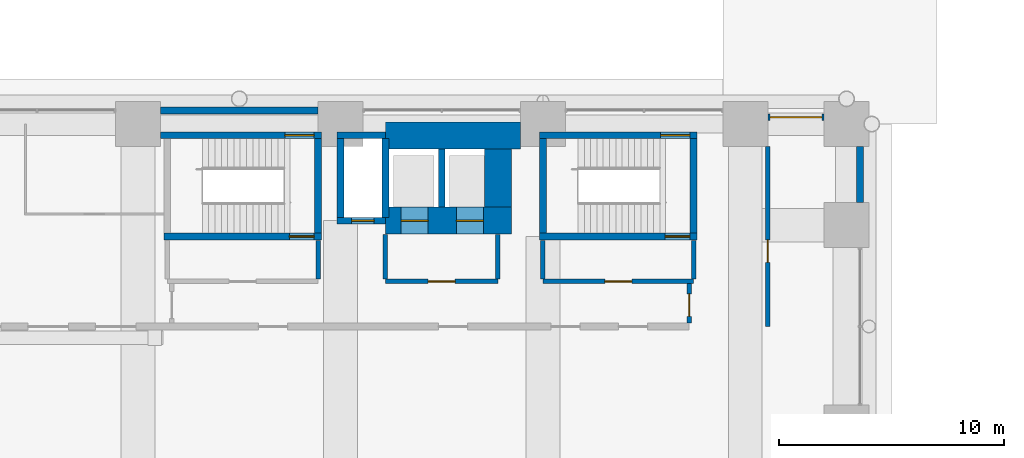
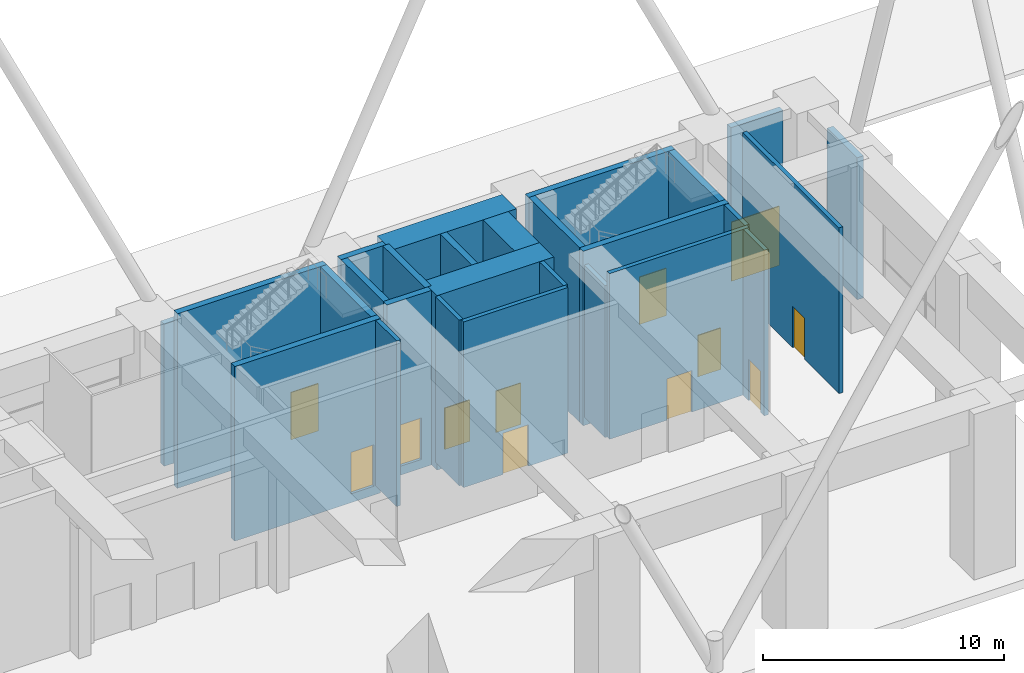
# One storey, part 32 of 44: 27 walls, 12 doors, 12 openings.
"""IFC4 building model written with IfcOpenShell, lengths in metres."""

from ifc_helpers import new_model, si_unit, direction, frame, frame_2d, origin, place, context, subcontext, project, spatial, rectangle, extrude, material, layer, layer_set, type_object, element, fill, save


model = new_model("IFC4")

# Units and contexts
model_context = context("Model", 3, precision=1e-05, world=origin(), true_north=direction((0.0, 1.0)))
body_context = subcontext(model_context, "Body", "Model", "MODEL_VIEW")
ifc_project = project(units=[si_unit("LENGTHUNIT", "METRE"), si_unit("AREAUNIT", "SQUARE_METRE"), si_unit("VOLUMEUNIT", "CUBIC_METRE"), si_unit("PLANEANGLEUNIT", "RADIAN"), si_unit("MASSUNIT", "GRAM", prefix="KILO")], contexts=[model_context])

# Site, building, storey
site_placement = place(None, origin())
site = spatial("IfcSite", under=ifc_project, at=site_placement, CompositionType="ELEMENT")
building_placement = place(site_placement, origin())
building = spatial("IfcBuilding", under=site, at=building_placement, Name="Firuza Court", CompositionType="ELEMENT")
storey_placement = place(building_placement, origin())
storey = spatial("IfcBuildingStorey", under=building, at=storey_placement, Name="L00", CompositionType="ELEMENT", Elevation=0.0)

# Wall, openings, doors
ifc_material_1 = material(Name="Concrete C60/75", Category="concrete")
ifc_layer_1 = layer(ifc_material_1, 1.199951171875)
ifc_layer_set_1 = layer_set([ifc_layer_1], Name="Concrete C60/75")
wall_type_1 = type_object("IfcWallType", Name="Core wall 1200 C60/75", PredefinedType="SHEAR", material=ifc_layer_set_1)
wall_1_placement = place(storey_placement, frame((47.0, 54.199951171875, -0.449951171875), z_axis=(0.0, 0.0, 1.0), x_axis=(1.0, 0.0, 0.0)))
wall_1 = element("IfcWall", 1, at=wall_1_placement, inside=storey, type_object=wall_type_1, Name="Core wall lift shaft L00", PredefinedType="SHEAR", context=body_context, shape_type="SweptSolid", body=[
    extrude(rectangle(XDim=5.60009765625, YDim=1.199951171875, at=frame_2d((2.800048828125, 0.0))), origin(), (0.0, 0.0, 1.0), 8.849853515625),
])
opening_1_placement = place(wall_1_placement, frame((0.699951171875, 0.0, 0.449951171875)))
opening_1 = element("IfcOpeningElement", 2, at=opening_1_placement, cuts=wall_1, Name="Opening LD-SH1-00", PredefinedType="OPENING", context=body_context, shape_type="SweptSolid", body=[
    extrude(rectangle(XDim=1.199951171875, YDim=2.10009765625, at=frame_2d((0.60009765625, 1.050048828125))), frame((0.0, 0.61181640625, 0.0), z_axis=(0.0, -1.0, 0.0), x_axis=(1.0, 0.0, 0.0)), (0.0, 0.0, 1.0), 1.223876953125),
])
opening_2_placement = place(wall_1_placement, frame((3.14990234375, 0.0, 0.449951171875)))
opening_2 = element("IfcOpeningElement", 3, at=opening_2_placement, cuts=wall_1, Name="Opening LD-SH2-00", PredefinedType="OPENING", context=body_context, shape_type="SweptSolid", body=[
    extrude(rectangle(XDim=1.199951171875, YDim=2.10009765625, at=frame_2d((0.60009765625, 1.050048828125))), frame((0.0, 0.61181640625, 0.0), z_axis=(0.0, -1.0, 0.0), x_axis=(1.0, 0.0, 0.0)), (0.0, 0.0, 1.0), 1.223876953125),
])
ifc_material_2 = material(Name="Stainless steel 1.4301 door leaf", Category="steel")
door_type_1 = type_object("IfcDoorType", Name="Firefighting lift landing door 1200", OperationType="SLIDING_TO_LEFT", PredefinedType="DOOR", material=ifc_material_2)
door_1_placement = place(opening_1_placement, origin())
door_1 = element("IfcDoor", 4, at=door_1_placement, inside=storey, type_object=door_type_1, Name="Landing door SH1", OperationType="SLIDING_TO_LEFT", OverallHeight=2.10009765625, OverallWidth=1.199951171875, PredefinedType="DOOR", context=body_context, shape_type="SweptSolid", body=[
    extrude(rectangle(XDim=1.199951171875, YDim=2.10009765625, at=frame_2d((0.60009765625, 1.050048828125))), frame((0.0, 0.02490234375, 0.0), z_axis=(0.0, -1.0, 0.0), x_axis=(1.0, 0.0, 0.0)), (0.0, 0.0, 1.0), 0.050048828125),
])
fill(opening_1, door_1)
door_2_placement = place(opening_2_placement, origin())
door_2 = element("IfcDoor", 5, at=door_2_placement, inside=storey, type_object=door_type_1, Name="Landing door SH2", OperationType="SLIDING_TO_LEFT", OverallHeight=2.10009765625, OverallWidth=1.199951171875, PredefinedType="DOOR", context=body_context, shape_type="SweptSolid", body=[
    extrude(rectangle(XDim=1.199951171875, YDim=2.10009765625, at=frame_2d((0.60009765625, 1.050048828125))), frame((0.0, 0.02490234375, 0.0), z_axis=(0.0, -1.0, 0.0), x_axis=(1.0, 0.0, 0.0)), (0.0, 0.0, 1.0), 0.050048828125),
])
fill(opening_2, door_2)

# Walls
wall_2_placement = place(storey_placement, frame((47.0, 58.0, -0.449951171875), z_axis=(0.0, 0.0, 1.0), x_axis=(1.0, 0.0, 0.0)))
element("IfcWall", 6, at=wall_2_placement, inside=storey, type_object=wall_type_1, Name="Core wall lift shaft L00", PredefinedType="SHEAR", context=body_context, shape_type="SweptSolid", body=[
    extrude(rectangle(XDim=6.0, YDim=1.199951171875, at=frame_2d((3.0, 0.0))), origin(), (0.0, 0.0, 1.0), 8.849853515625),
])
wall_3_placement = place(storey_placement, frame((52.0, 54.800048828125, -0.449951171875), z_axis=(0.0, 0.0, 1.0), x_axis=(0.0, 1.0, 0.0)))
element("IfcWall", 7, at=wall_3_placement, inside=storey, type_object=wall_type_1, Name="Core wall lift shaft L00", PredefinedType="SHEAR", context=body_context, shape_type="SweptSolid", body=[
    extrude(rectangle(XDim=2.599853515625, YDim=1.199951171875, at=frame_2d((1.2998046875, 0.0))), origin(), (0.0, 0.0, 1.0), 8.849853515625),
])

# Wall, opening, door
ifc_layer_2 = layer(ifc_material_1, 0.300048828125)
ifc_layer_set_2 = layer_set([ifc_layer_2], Name="Concrete C60/75")
wall_type_2 = type_object("IfcWallType", Name="Core wall 300 C60/75", PredefinedType="SHEAR", material=ifc_layer_set_2)
wall_4_placement = place(storey_placement, frame((37.0, 58.0, -0.449951171875), z_axis=(0.0, 0.0, 1.0), x_axis=(1.0, 0.0, 0.0)))
wall_4 = element("IfcWall", 8, at=wall_4_placement, inside=storey, type_object=wall_type_2, Name="Core wall stair L00", PredefinedType="SHEAR", context=body_context, shape_type="SweptSolid", body=[
    extrude(rectangle(XDim=7.14990234375, YDim=0.300048828125, at=frame_2d((3.574951171875, 0.0))), origin(), (0.0, 0.0, 1.0), 8.849853515625),
])
opening_3_placement = place(wall_4_placement, frame((5.530029296875, 0.0, 0.449951171875)))
opening_3 = element("IfcOpeningElement", 9, at=opening_3_placement, cuts=wall_4, Name="Opening D00019", PredefinedType="OPENING", context=body_context, shape_type="SweptSolid", body=[
    extrude(rectangle(XDim=1.300048828125, YDim=2.39990234375, at=frame_2d((0.64990234375, 1.199951171875))), frame((0.0, 0.162109375, 0.0), z_axis=(0.0, -1.0, 0.0), x_axis=(1.0, 0.0, 0.0)), (0.0, 0.0, 1.0), 0.323974609375),
])
ifc_material_3 = material(Name="Timber door leaf in hardwood frame", Category="wood")
door_type_2 = type_object("IfcDoorType", Name="Exit door 1300", OperationType="SINGLE_SWING_LEFT", PredefinedType="DOOR", material=ifc_material_3)
door_3_placement = place(opening_3_placement, origin())
door_3 = element("IfcDoor", 10, at=door_3_placement, inside=storey, type_object=door_type_2, Name="Stair exit door S1", OperationType="SINGLE_SWING_LEFT", OverallHeight=2.39990234375, OverallWidth=1.300048828125, PredefinedType="DOOR", context=body_context, shape_type="SweptSolid", body=[
    extrude(rectangle(XDim=1.300048828125, YDim=2.39990234375, at=frame_2d((0.64990234375, 1.199951171875))), frame((0.0, 0.02490234375, 0.0), z_axis=(0.0, -1.0, 0.0), x_axis=(1.0, 0.0, 0.0)), (0.0, 0.0, 1.0), 0.050048828125),
])
fill(opening_3, door_3)

wall_5_placement = place(storey_placement, frame((37.14990234375, 53.5, -0.449951171875), z_axis=(0.0, 0.0, 1.0), x_axis=(1.0, 0.0, 0.0)))
wall_5 = element("IfcWall", 11, at=wall_5_placement, inside=storey, type_object=wall_type_2, Name="Core wall stair L00", PredefinedType="SHEAR", context=body_context, shape_type="SweptSolid", body=[
    extrude(rectangle(XDim=7.0, YDim=0.300048828125, at=frame_2d((3.5, 0.0))), origin(), (0.0, 0.0, 1.0), 8.849853515625),
])
opening_4_placement = place(wall_5_placement, frame((5.580078125, 0.0, 0.449951171875)))
opening_4 = element("IfcOpeningElement", 12, at=opening_4_placement, cuts=wall_5, Name="Opening D00013", PredefinedType="OPENING", context=body_context, shape_type="SweptSolid", body=[
    extrude(rectangle(XDim=1.10009765625, YDim=2.10009765625, at=frame_2d((0.550048828125, 1.050048828125))), frame((0.0, 0.162109375, 0.0), z_axis=(0.0, -1.0, 0.0), x_axis=(1.0, 0.0, 0.0)), (0.0, 0.0, 1.0), 0.323974609375),
])
ifc_material_4 = material(Name="Timber door leaf in hardwood frame", Category="wood")
door_type_3 = type_object("IfcDoorType", Name="Stair door 1100", OperationType="SINGLE_SWING_LEFT", PredefinedType="DOOR", material=ifc_material_4)
door_4_placement = place(opening_4_placement, frame((1.10009765625, 0.0, 0.0), z_axis=(0.0, 0.0, 1.0), x_axis=(-1.0, 0.0, 0.0)))
door_4 = element("IfcDoor", 13, at=door_4_placement, inside=storey, type_object=door_type_3, Name="Stair door S1", OperationType="SINGLE_SWING_LEFT", OverallHeight=2.10009765625, OverallWidth=1.10009765625, PredefinedType="DOOR", context=body_context, shape_type="SweptSolid", body=[
    extrude(rectangle(XDim=1.10009765625, YDim=2.10009765625, at=frame_2d((0.550048828125, 1.050048828125))), frame((0.0, 0.02490234375, 0.0), z_axis=(0.0, -1.0, 0.0), x_axis=(1.0, 0.0, 0.0)), (0.0, 0.0, 1.0), 0.050048828125),
])
fill(opening_4, door_4)

# Wall
wall_6_placement = place(storey_placement, frame((44.0, 53.64990234375, -0.449951171875), z_axis=(0.0, 0.0, 1.0), x_axis=(0.0, 1.0, 0.0)))
element("IfcWall", 14, at=wall_6_placement, inside=storey, type_object=wall_type_2, Name="Core wall stair L00", PredefinedType="SHEAR", context=body_context, shape_type="SweptSolid", body=[
    extrude(rectangle(XDim=4.2001953125, YDim=0.300048828125, at=frame_2d((2.10009765625, 0.0))), origin(), (0.0, 0.0, 1.0), 8.849853515625),
])

# Wall, opening, door
wall_7_placement = place(storey_placement, frame((44.85009765625, 54.199951171875, -0.449951171875), z_axis=(0.0, 0.0, 1.0), x_axis=(1.0, 0.0, 0.0)))
wall_7 = element("IfcWall", 15, at=wall_7_placement, inside=storey, type_object=wall_type_2, Name="Core wall riser L00", PredefinedType="SHEAR", context=body_context, shape_type="SweptSolid", body=[
    extrude(rectangle(XDim=2.14990234375, YDim=0.300048828125, at=frame_2d((1.074951171875, 0.0))), origin(), (0.0, 0.0, 1.0), 8.849853515625),
])
opening_5_placement = place(wall_7_placement, frame((0.64990234375, 0.0, 0.449951171875)))
opening_5 = element("IfcOpeningElement", 16, at=opening_5_placement, cuts=wall_7, Name="Opening D00011", PredefinedType="OPENING", context=body_context, shape_type="SweptSolid", body=[
    extrude(rectangle(XDim=1.0, YDim=2.10009765625, at=frame_2d((0.5, 1.050048828125))), frame((0.0, 0.162109375, 0.0), z_axis=(0.0, -1.0, 0.0), x_axis=(1.0, 0.0, 0.0)), (0.0, 0.0, 1.0), 0.323974609375),
])
ifc_material_5 = material(Name="Timber door leaf in hardwood frame", Category="wood")
door_type_4 = type_object("IfcDoorType", Name="Riser door 1000", OperationType="SINGLE_SWING_LEFT", PredefinedType="DOOR", material=ifc_material_5)
door_5_placement = place(opening_5_placement, frame((1.0, 0.0, 0.0), z_axis=(0.0, 0.0, 1.0), x_axis=(-1.0, 0.0, 0.0)))
door_5 = element("IfcDoor", 17, at=door_5_placement, inside=storey, type_object=door_type_4, Name="Riser door R3", OperationType="SINGLE_SWING_RIGHT", OverallHeight=2.10009765625, OverallWidth=1.0, PredefinedType="DOOR", context=body_context, shape_type="SweptSolid", body=[
    extrude(rectangle(XDim=1.0, YDim=2.10009765625, at=frame_2d((0.5, 1.050048828125))), frame((0.0, 0.02490234375, 0.0), z_axis=(0.0, -1.0, 0.0), x_axis=(1.0, 0.0, 0.0)), (0.0, 0.0, 1.0), 0.050048828125),
])
fill(opening_5, door_5)

# Walls
wall_8_placement = place(storey_placement, frame((44.85009765625, 58.0, -0.449951171875), z_axis=(0.0, 0.0, 1.0), x_axis=(1.0, 0.0, 0.0)))
element("IfcWall", 18, at=wall_8_placement, inside=storey, type_object=wall_type_2, Name="Core wall riser L00", PredefinedType="SHEAR", context=body_context, shape_type="SweptSolid", body=[
    extrude(rectangle(XDim=2.14990234375, YDim=0.300048828125, at=frame_2d((1.074951171875, 0.0))), origin(), (0.0, 0.0, 1.0), 8.849853515625),
])
for number, where, z_axis, x_axis, name in (
    (19, (45.0, 54.35009765625, -0.449951171875), (0.0, 0.0, 1.0), (0.0, 1.0, 0.0), "Core wall riser L00"),
    (20, (47.0, 54.35009765625, -0.449951171875), (0.0, 0.0, 1.0), (0.0, 1.0, 0.0), "Core wall lift shaft L00"),
):
    element("IfcWall", number, at=place(storey_placement, frame(where, z_axis=z_axis, x_axis=x_axis)), inside=storey, type_object=wall_type_2, Name=name, PredefinedType="SHEAR", context=body_context, shape_type="SweptSolid", body=[
        extrude(rectangle(XDim=3.5, YDim=0.300048828125, at=frame_2d((1.75, 0.0))), origin(), (0.0, 0.0, 1.0), 8.849853515625),
    ])
wall_9_placement = place(storey_placement, frame((49.5, 54.800048828125, -0.449951171875), z_axis=(0.0, 0.0, 1.0), x_axis=(0.0, 1.0, 0.0)))
element("IfcWall", 21, at=wall_9_placement, inside=storey, type_object=wall_type_2, Name="Core wall lift shaft L00", PredefinedType="SHEAR", context=body_context, shape_type="SweptSolid", body=[
    extrude(rectangle(XDim=2.599853515625, YDim=0.300048828125, at=frame_2d((1.2998046875, 0.0))), origin(), (0.0, 0.0, 1.0), 8.849853515625),
])

# Wall, opening, door
wall_10_placement = place(storey_placement, frame((53.85009765625, 53.5, -0.449951171875), z_axis=(0.0, 0.0, 1.0), x_axis=(1.0, 0.0, 0.0)))
wall_10 = element("IfcWall", 22, at=wall_10_placement, inside=storey, type_object=wall_type_2, Name="Core wall stair L00", PredefinedType="SHEAR", context=body_context, shape_type="SweptSolid", body=[
    extrude(rectangle(XDim=7.0, YDim=0.300048828125, at=frame_2d((3.5, 0.0))), origin(), (0.0, 0.0, 1.0), 8.849853515625),
])
opening_6_placement = place(wall_10_placement, frame((5.580078125, 0.0, 0.449951171875)))
opening_6 = element("IfcOpeningElement", 23, at=opening_6_placement, cuts=wall_10, Name="Opening D00017", PredefinedType="OPENING", context=body_context, shape_type="SweptSolid", body=[
    extrude(rectangle(XDim=1.10009765625, YDim=2.10009765625, at=frame_2d((0.550048828125, 1.050048828125))), frame((0.0, 0.162109375, 0.0), z_axis=(0.0, -1.0, 0.0), x_axis=(1.0, 0.0, 0.0)), (0.0, 0.0, 1.0), 0.323974609375),
])
door_6_placement = place(opening_6_placement, frame((1.10009765625, 0.0, 0.0), z_axis=(0.0, 0.0, 1.0), x_axis=(-1.0, 0.0, 0.0)))
door_6 = element("IfcDoor", 24, at=door_6_placement, inside=storey, type_object=door_type_3, Name="Stair door S4", OperationType="SINGLE_SWING_LEFT", OverallHeight=2.10009765625, OverallWidth=1.10009765625, PredefinedType="DOOR", context=body_context, shape_type="SweptSolid", body=[
    extrude(rectangle(XDim=1.10009765625, YDim=2.10009765625, at=frame_2d((0.550048828125, 1.050048828125))), frame((0.0, 0.02490234375, 0.0), z_axis=(0.0, -1.0, 0.0), x_axis=(1.0, 0.0, 0.0)), (0.0, 0.0, 1.0), 0.050048828125),
])
fill(opening_6, door_6)

wall_11_placement = place(storey_placement, frame((53.85009765625, 58.0, -0.449951171875), z_axis=(0.0, 0.0, 1.0), x_axis=(1.0, 0.0, 0.0)))
wall_11 = element("IfcWall", 25, at=wall_11_placement, inside=storey, type_object=wall_type_2, Name="Core wall stair L00", PredefinedType="SHEAR", context=body_context, shape_type="SweptSolid", body=[
    extrude(rectangle(XDim=7.0, YDim=0.300048828125, at=frame_2d((3.5, 0.0))), origin(), (0.0, 0.0, 1.0), 8.849853515625),
])
opening_7_placement = place(wall_11_placement, frame((5.3798828125, 0.0, 0.449951171875)))
opening_7 = element("IfcOpeningElement", 26, at=opening_7_placement, cuts=wall_11, Name="Opening D00020", PredefinedType="OPENING", context=body_context, shape_type="SweptSolid", body=[
    extrude(rectangle(XDim=1.300048828125, YDim=2.39990234375, at=frame_2d((0.64990234375, 1.199951171875))), frame((0.0, 0.162109375, 0.0), z_axis=(0.0, -1.0, 0.0), x_axis=(1.0, 0.0, 0.0)), (0.0, 0.0, 1.0), 0.323974609375),
])
door_7_placement = place(opening_7_placement, origin())
door_7 = element("IfcDoor", 27, at=door_7_placement, inside=storey, type_object=door_type_2, Name="Stair exit door S4", OperationType="SINGLE_SWING_LEFT", OverallHeight=2.39990234375, OverallWidth=1.300048828125, PredefinedType="DOOR", context=body_context, shape_type="SweptSolid", body=[
    extrude(rectangle(XDim=1.300048828125, YDim=2.39990234375, at=frame_2d((0.64990234375, 1.199951171875))), frame((0.0, 0.02490234375, 0.0), z_axis=(0.0, -1.0, 0.0), x_axis=(1.0, 0.0, 0.0)), (0.0, 0.0, 1.0), 0.050048828125),
])
fill(opening_7, door_7)

# Walls
for number, where, z_axis, x_axis, name in (
    (28, (54.0, 53.64990234375, -0.449951171875), (0.0, 0.0, 1.0), (0.0, 1.0, 0.0), "Core wall stair L00"),
    (29, (60.699951171875, 53.64990234375, -0.449951171875), (0.0, 0.0, 1.0), (0.0, 1.0, 0.0), "Core wall stair L00"),
):
    element("IfcWall", number, at=place(storey_placement, frame(where, z_axis=z_axis, x_axis=x_axis)), inside=storey, type_object=wall_type_2, Name=name, PredefinedType="SHEAR", context=body_context, shape_type="SweptSolid", body=[
        extrude(rectangle(XDim=4.2001953125, YDim=0.300048828125, at=frame_2d((2.10009765625, 0.0))), origin(), (0.0, 0.0, 1.0), 8.849853515625),
    ])

# Wall, opening, door
ifc_material_6 = material(Name="Concrete C40/50 precast", Category="concrete")
ifc_layer_3 = layer(ifc_material_6, 0.300048828125)
ifc_layer_set_3 = layer_set([ifc_layer_3], Name="Concrete C40/50 precast")
wall_type_3 = type_object("IfcWallType", Name="Ground floor enclosure wall 300", PredefinedType="SOLIDWALL", material=ifc_layer_set_3)
wall_12_placement = place(storey_placement, frame((64.0, 58.800048828125, 0.0), z_axis=(0.0, 0.0, 1.0), x_axis=(1.0, 0.0, 0.0)))
wall_12 = element("IfcWall", 30, at=wall_12_placement, inside=storey, type_object=wall_type_3, Name="Ground floor enclosure wall 300 L00", PredefinedType="SOLIDWALL", context=body_context, shape_type="SweptSolid", body=[
    extrude(rectangle(XDim=2.5, YDim=0.300048828125, at=frame_2d((1.25, 0.0))), origin(), (0.0, 0.0, 1.0), 7.89990234375),
])
opening_8_placement = place(wall_12_placement, frame((0.10009765625, 0.0, 0.0)))
opening_8 = element("IfcOpeningElement", 31, at=opening_8_placement, cuts=wall_12, Name="Opening D00046", PredefinedType="OPENING", context=body_context, shape_type="SweptSolid", body=[
    extrude(rectangle(XDim=2.300048828125, YDim=3.0, at=frame_2d((1.14990234375, 1.5))), frame((0.0, 0.162109375, 0.0), z_axis=(0.0, -1.0, 0.0), x_axis=(1.0, 0.0, 0.0)), (0.0, 0.0, 1.0), 0.323974609375),
])
ifc_material_7 = material(Name="Timber door leaf in hardwood frame", Category="wood")
door_type_5 = type_object("IfcDoorType", Name="Roller shutter door 2300", OperationType="ROLLINGUP", PredefinedType="DOOR", material=ifc_material_7)
door_8_placement = place(opening_8_placement, origin())
door_8 = element("IfcDoor", 32, at=door_8_placement, inside=storey, type_object=door_type_5, Name="Loading bay shutter door", OperationType="ROLLINGUP", OverallHeight=3.0, OverallWidth=2.300048828125, PredefinedType="DOOR", context=body_context, shape_type="SweptSolid", body=[
    extrude(rectangle(XDim=2.300048828125, YDim=3.0, at=frame_2d((1.14990234375, 1.5))), frame((0.0, 0.02490234375, 0.0), z_axis=(0.0, -1.0, 0.0), x_axis=(1.0, 0.0, 0.0)), (0.0, 0.0, 1.0), 0.050048828125),
])
fill(opening_8, door_8)

ifc_material_8 = material(Name="Blockwork, fire-rated", Category="masonry")
ifc_layer_4 = layer(ifc_material_8, 0.199951171875)
ifc_layer_set_4 = layer_set([ifc_layer_4], Name="Blockwork, fire-rated")
wall_type_4 = type_object("IfcWallType", Name="Plant room wall 200", PredefinedType="PARTITIONING", material=ifc_layer_set_4)
wall_13_placement = place(storey_placement, frame((60.5, 49.64990234375, 0.0), z_axis=(0.0, 0.0, 1.0), x_axis=(0.0, 1.0, 0.0)))
wall_13 = element("IfcWall", 33, at=wall_13_placement, inside=storey, type_object=wall_type_4, Name="Plant room wall 200 L00", PredefinedType="PARTITIONING", context=body_context, shape_type="SweptSolid", body=[
    extrude(rectangle(XDim=1.75, YDim=0.199951171875, at=frame_2d((0.875, 0.0))), origin(), (0.0, 0.0, 1.0), 8.39990234375),
])
opening_9_placement = place(wall_13_placement, frame((0.300048828125, 0.0, 0.0)))
opening_9 = element("IfcOpeningElement", 34, at=opening_9_placement, cuts=wall_13, Name="Opening D00027", PredefinedType="OPENING", context=body_context, shape_type="SweptSolid", body=[
    extrude(rectangle(XDim=1.0, YDim=2.10009765625, at=frame_2d((0.5, 1.050048828125))), frame((0.0, 0.11181640625, 0.0), z_axis=(0.0, -1.0, 0.0), x_axis=(1.0, 0.0, 0.0)), (0.0, 0.0, 1.0), 0.223876953125),
])
ifc_material_9 = material(Name="Timber door leaf in hardwood frame", Category="wood")
door_type_6 = type_object("IfcDoorType", Name="Store door 1000", OperationType="SINGLE_SWING_LEFT", PredefinedType="DOOR", material=ifc_material_9)
door_9_placement = place(opening_9_placement, frame((1.0, 0.0, 0.0), z_axis=(0.0, 0.0, 1.0), x_axis=(-1.0, 0.0, 0.0)))
door_9 = element("IfcDoor", 35, at=door_9_placement, inside=storey, type_object=door_type_6, Name="Store door", OperationType="SINGLE_SWING_LEFT", OverallHeight=2.10009765625, OverallWidth=1.0, PredefinedType="DOOR", context=body_context, shape_type="SweptSolid", body=[
    extrude(rectangle(XDim=1.0, YDim=2.10009765625, at=frame_2d((0.5, 1.050048828125))), frame((0.0, 0.02490234375, 0.0), z_axis=(0.0, -1.0, 0.0), x_axis=(1.0, 0.0, 0.0)), (0.0, 0.0, 1.0), 0.050048828125),
])
fill(opening_9, door_9)

wall_14_placement = place(storey_placement, frame((64.0, 49.5, 0.0), z_axis=(0.0, 0.0, 1.0), x_axis=(0.0, 1.0, 0.0)))
wall_14 = element("IfcWall", 36, at=wall_14_placement, inside=storey, type_object=wall_type_4, Name="Plant room wall 200 L00", PredefinedType="PARTITIONING", context=body_context, shape_type="SweptSolid", body=[
    extrude(rectangle(XDim=8.0, YDim=0.199951171875, at=frame_2d((4.0, 0.0))), origin(), (0.0, 0.0, 1.0), 8.39990234375),
])
opening_10_placement = place(wall_14_placement, frame((2.85009765625, 0.0, 0.0)))
opening_10 = element("IfcOpeningElement", 37, at=opening_10_placement, cuts=wall_14, Name="Opening D00028", PredefinedType="OPENING", context=body_context, shape_type="SweptSolid", body=[
    extrude(rectangle(XDim=1.0, YDim=2.10009765625, at=frame_2d((0.5, 1.050048828125))), frame((0.0, 0.11181640625, 0.0), z_axis=(0.0, -1.0, 0.0), x_axis=(1.0, 0.0, 0.0)), (0.0, 0.0, 1.0), 0.223876953125),
])
door_10_placement = place(opening_10_placement, origin())
door_10 = element("IfcDoor", 38, at=door_10_placement, inside=storey, type_object=door_type_6, Name="Store door", OperationType="SINGLE_SWING_LEFT", OverallHeight=2.10009765625, OverallWidth=1.0, PredefinedType="DOOR", context=body_context, shape_type="SweptSolid", body=[
    extrude(rectangle(XDim=1.0, YDim=2.10009765625, at=frame_2d((0.5, 1.050048828125))), frame((0.0, 0.02490234375, 0.0), z_axis=(0.0, -1.0, 0.0), x_axis=(1.0, 0.0, 0.0)), (0.0, 0.0, 1.0), 0.050048828125),
])
fill(opening_10, door_10)

# Walls
ifc_material_10 = material(Name="Ceramic tile", Category="ceramic")
ifc_layer_5 = layer(ifc_material_10, 0.02001953125)
ifc_material_11 = material(Name="Mineral wool insulation", Category="insulation")
ifc_layer_6 = layer(ifc_material_11, 0.1298828125)
ifc_layer_7 = layer(ifc_material_6, 0.14990234375)
ifc_layer_set_5 = layer_set([ifc_layer_5, ifc_layer_6, ifc_layer_7], Name="Concrete C40/50 precast")
wall_type_5 = type_object("IfcWallType", Name="Precast spandrel wall with turquoise TILE PANEL face 300", PredefinedType="STANDARD", material=ifc_layer_set_5)
wall_15_placement = place(storey_placement, frame((68.10009765625, 55.0, 0.0), z_axis=(0.0, 0.0, 1.0), x_axis=(0.0, 1.0, 0.0)))
element("IfcWall", 39, at=wall_15_placement, inside=storey, type_object=wall_type_5, Name="Facade wall L00 E", PredefinedType="STANDARD", context=body_context, shape_type="SweptSolid", body=[
    extrude(rectangle(XDim=2.5, YDim=0.300048828125, at=frame_2d((1.25, 0.0))), origin(), (0.0, 0.0, 1.0), 7.199951171875),
])
wall_16_placement = place(storey_placement, frame((44.0, 59.10009765625, 0.0), z_axis=(0.0, 0.0, 1.0), x_axis=(-1.0, 0.0, 0.0)))
element("IfcWall", 40, at=wall_16_placement, inside=storey, type_object=wall_type_5, Name="Facade wall L00 N", PredefinedType="STANDARD", context=body_context, shape_type="SweptSolid", body=[
    extrude(rectangle(XDim=7.0, YDim=0.300048828125, at=frame_2d((3.5, 0.0))), origin(), (0.0, 0.0, 1.0), 7.199951171875),
])

# Wall, opening, door
ifc_layer_8 = layer(ifc_material_8, 0.199951171875)
ifc_layer_set_6 = layer_set([ifc_layer_8], Name="Blockwork, fire-rated")
wall_type_6 = type_object("IfcWallType", Name="Shaft wall 200", PredefinedType="PARTITIONING", material=ifc_layer_set_6)
wall_17_placement = place(storey_placement, frame((47.0, 51.5, 0.0), z_axis=(0.0, 0.0, 1.0), x_axis=(1.0, 0.0, 0.0)))
wall_17 = element("IfcWall", 41, at=wall_17_placement, inside=storey, type_object=wall_type_6, Name="Shaft wall 200 L00", PredefinedType="PARTITIONING", context=body_context, shape_type="SweptSolid", body=[
    extrude(rectangle(XDim=5.0, YDim=0.199951171875, at=frame_2d((2.5, 0.0))), origin(), (0.0, 0.0, 1.0), 8.39990234375),
])
opening_11_placement = place(wall_17_placement, frame((1.89990234375, 0.0, 0.0)))
opening_11 = element("IfcOpeningElement", 42, at=opening_11_placement, cuts=wall_17, Name="Opening D00009", PredefinedType="OPENING", context=body_context, shape_type="SweptSolid", body=[
    extrude(rectangle(XDim=1.199951171875, YDim=2.10009765625, at=frame_2d((0.60009765625, 1.050048828125))), frame((0.0, 0.11181640625, 0.0), z_axis=(0.0, -1.0, 0.0), x_axis=(1.0, 0.0, 0.0)), (0.0, 0.0, 1.0), 0.223876953125),
])
ifc_material_12 = material(Name="Timber door leaf in hardwood frame", Category="wood")
door_type_7 = type_object("IfcDoorType", Name="Lobby door 1200", OperationType="SINGLE_SWING_LEFT", PredefinedType="DOOR", material=ifc_material_12)
door_11_placement = place(opening_11_placement, origin())
door_11 = element("IfcDoor", 43, at=door_11_placement, inside=storey, type_object=door_type_7, Name="Lobby door", OperationType="SINGLE_SWING_LEFT", OverallHeight=2.10009765625, OverallWidth=1.199951171875, PredefinedType="DOOR", context=body_context, shape_type="SweptSolid", body=[
    extrude(rectangle(XDim=1.199951171875, YDim=2.10009765625, at=frame_2d((0.60009765625, 1.050048828125))), frame((0.0, 0.02490234375, 0.0), z_axis=(0.0, -1.0, 0.0), x_axis=(1.0, 0.0, 0.0)), (0.0, 0.0, 1.0), 0.050048828125),
])
fill(opening_11, door_11)

# Walls
for number, where, z_axis, x_axis, name in (
    (44, (52.0, 51.60009765625, 0.0), (0.0, 0.0, 1.0), (0.0, 1.0, 0.0), "Shaft wall 200 L00"),
    (45, (47.0, 51.60009765625, 0.0), (0.0, 0.0, 1.0), (0.0, 1.0, 0.0), "Shaft wall 200 L00"),
):
    element("IfcWall", number, at=place(storey_placement, frame(where, z_axis=z_axis, x_axis=x_axis)), inside=storey, type_object=wall_type_6, Name=name, PredefinedType="PARTITIONING", context=body_context, shape_type="SweptSolid", body=[
        extrude(rectangle(XDim=1.97998046875, YDim=0.199951171875, at=frame_2d((0.989990234375, 0.0))), origin(), (0.0, 0.0, 1.0), 8.39990234375),
    ])
wall_18_placement = place(storey_placement, frame((44.0, 51.60009765625, 0.0), z_axis=(0.0, 0.0, 1.0), x_axis=(0.0, 1.0, 0.0)))
element("IfcWall", 46, at=wall_18_placement, inside=storey, type_object=wall_type_6, Name="Shaft wall 200 L00", PredefinedType="PARTITIONING", context=body_context, shape_type="SweptSolid", body=[
    extrude(rectangle(XDim=1.72998046875, YDim=0.199951171875, at=frame_2d((0.864990234375, 0.0))), origin(), (0.0, 0.0, 1.0), 8.39990234375),
])

# Wall, opening, door
wall_19_placement = place(storey_placement, frame((54.0, 51.5, 0.0), z_axis=(0.0, 0.0, 1.0), x_axis=(1.0, 0.0, 0.0)))
wall_19 = element("IfcWall", 47, at=wall_19_placement, inside=storey, type_object=wall_type_6, Name="Shaft wall 200 L00", PredefinedType="PARTITIONING", context=body_context, shape_type="SweptSolid", body=[
    extrude(rectangle(XDim=6.699951171875, YDim=0.199951171875, at=frame_2d((3.35009765625, 0.0))), origin(), (0.0, 0.0, 1.0), 8.39990234375),
])
opening_12_placement = place(wall_19_placement, frame((2.75, 0.0, 0.0)))
opening_12 = element("IfcOpeningElement", 48, at=opening_12_placement, cuts=wall_19, Name="Opening D00007", PredefinedType="OPENING", context=body_context, shape_type="SweptSolid", body=[
    extrude(rectangle(XDim=1.199951171875, YDim=2.10009765625, at=frame_2d((0.60009765625, 1.050048828125))), frame((0.0, 0.11181640625, 0.0), z_axis=(0.0, -1.0, 0.0), x_axis=(1.0, 0.0, 0.0)), (0.0, 0.0, 1.0), 0.223876953125),
])
door_12_placement = place(opening_12_placement, origin())
door_12 = element("IfcDoor", 49, at=door_12_placement, inside=storey, type_object=door_type_7, Name="Lobby door", OperationType="SINGLE_SWING_LEFT", OverallHeight=2.10009765625, OverallWidth=1.199951171875, PredefinedType="DOOR", context=body_context, shape_type="SweptSolid", body=[
    extrude(rectangle(XDim=1.199951171875, YDim=2.10009765625, at=frame_2d((0.60009765625, 1.050048828125))), frame((0.0, 0.02490234375, 0.0), z_axis=(0.0, -1.0, 0.0), x_axis=(1.0, 0.0, 0.0)), (0.0, 0.0, 1.0), 0.050048828125),
])
fill(opening_12, door_12)

# Walls
wall_20_placement = place(storey_placement, frame((60.699951171875, 51.60009765625, 0.0), z_axis=(0.0, 0.0, 1.0), x_axis=(0.0, 1.0, 0.0)))
element("IfcWall", 50, at=wall_20_placement, inside=storey, type_object=wall_type_6, Name="Shaft wall 200 L00", PredefinedType="PARTITIONING", context=body_context, shape_type="SweptSolid", body=[
    extrude(rectangle(XDim=1.72998046875, YDim=0.199951171875, at=frame_2d((0.864990234375, 0.0))), origin(), (0.0, 0.0, 1.0), 8.39990234375),
])
wall_21_placement = place(storey_placement, frame((54.0, 51.60009765625, 0.0), z_axis=(0.0, 0.0, 1.0), x_axis=(0.0, 1.0, 0.0)))
element("IfcWall", 51, at=wall_21_placement, inside=storey, type_object=wall_type_6, Name="Shaft wall 200 L00", PredefinedType="PARTITIONING", context=body_context, shape_type="SweptSolid", body=[
    extrude(rectangle(XDim=1.72998046875, YDim=0.199951171875, at=frame_2d((0.864990234375, 0.0))), origin(), (0.0, 0.0, 1.0), 7.699951171875),
])

save(model, "model.ifc")
